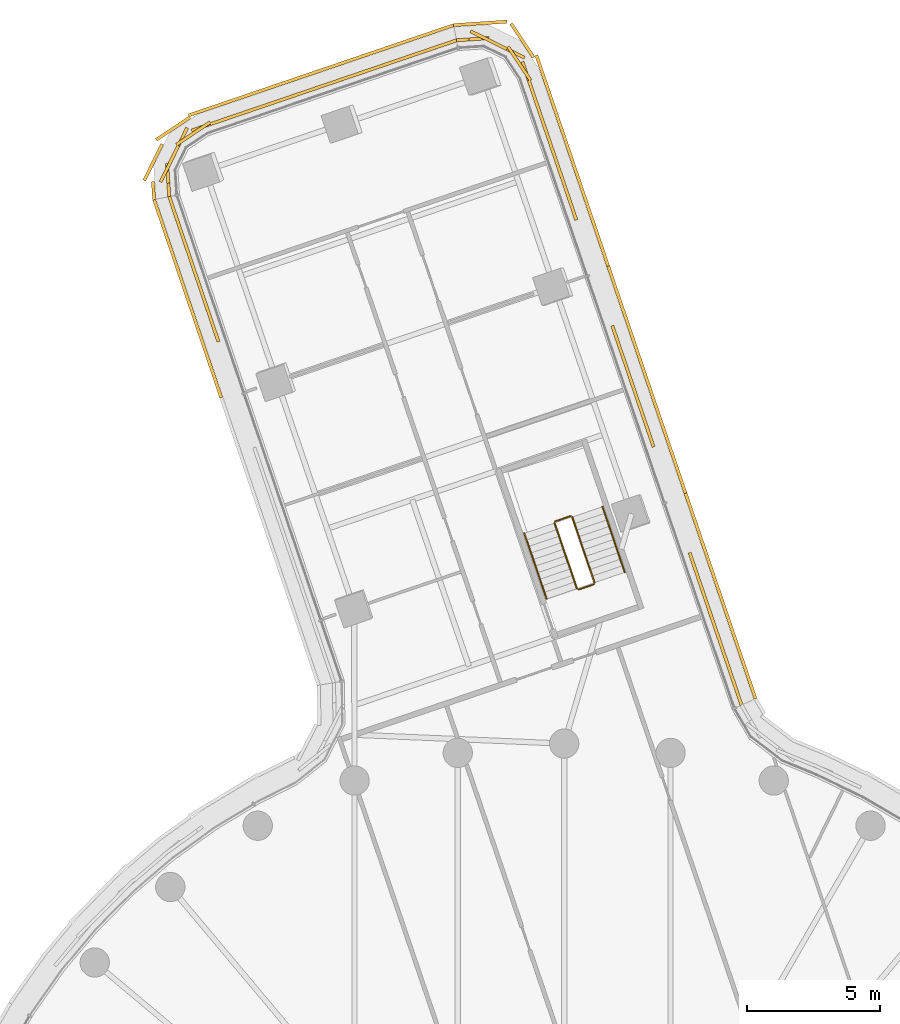
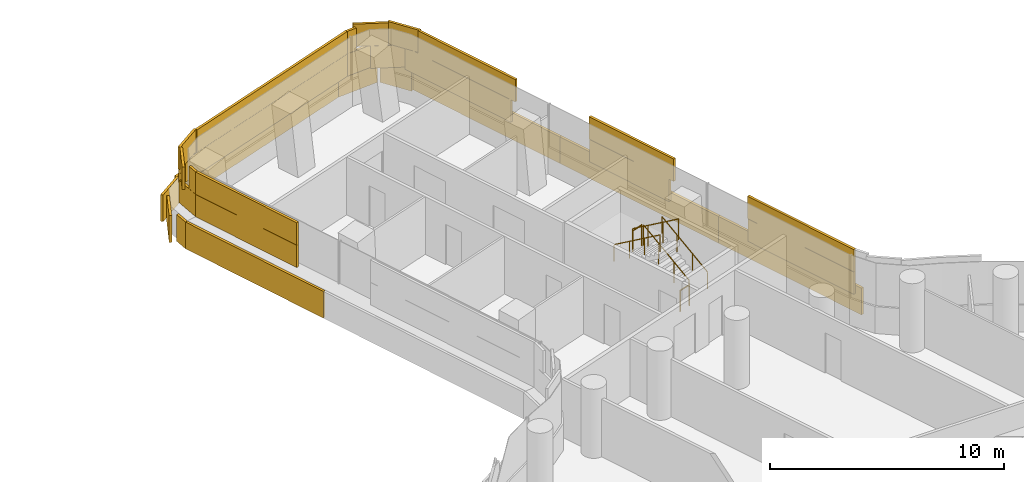
# One storey, part 29 of 29: 6 railings, 5 coverings.
"""IFC4 building model written with IfcOpenShell, lengths in metres."""

from ifc_helpers import new_model, si_unit, direction, frame, origin, origin_2d, place, context, subcontext, project, spatial, rectangle, circle, extrude, material, layer, layer_set, type_object, element, save


model = new_model("IFC4")

# Units and contexts
model_context = context("Model", 3, precision=1e-05, world=origin(), true_north=direction((0.0, 1.0)))
body_context = subcontext(model_context, "Body", "Model", "MODEL_VIEW")
ifc_project = project(units=[si_unit("LENGTHUNIT", "METRE"), si_unit("AREAUNIT", "SQUARE_METRE"), si_unit("VOLUMEUNIT", "CUBIC_METRE"), si_unit("PLANEANGLEUNIT", "RADIAN"), si_unit("MASSUNIT", "GRAM", prefix="KILO")], contexts=[model_context])

# Site, building, storey
site_placement = place(None, origin())
site = spatial("IfcSite", under=ifc_project, at=site_placement, CompositionType="ELEMENT")
building_placement = place(site_placement, origin())
building = spatial("IfcBuilding", under=site, at=building_placement, Name="Tamarind Cross Interchange Tower", CompositionType="ELEMENT")
storey_placement = place(building_placement, frame((0.0, 0.0, 102.25)))
storey = spatial("IfcBuildingStorey", under=building, at=storey_placement, Name="L24", CompositionType="ELEMENT", Elevation=102.25)

# Railings
ifc_material_1 = material(Name="Stair guard")
railing_type_1 = type_object("IfcRailingType", Name="Stair guard", PredefinedType="GUARDRAIL", material=ifc_material_1)
railing_1_placement = place(storey_placement, frame((1.14013671875, 29.043701171875, 0.17041015625)))
element("IfcRailing", 1, at=railing_1_placement, inside=storey, type_object=railing_type_1, Name="L24 ST4 stair guard 1", PredefinedType="GUARDRAIL", context=body_context, shape_type="SweptSolid", body=[
    extrude(circle(Radius=0.02392578125, at=origin_2d()), frame((0.0, 0.0, 1.076171875), z_axis=(-0.269588544984, 0.791646408968, 0.548286402878), x_axis=(-0.946616378448, -0.322362268348, 0.0)), (0.0, 0.0, 1.0), 3.10888671875),
    extrude(circle(Radius=0.02099609375, at=origin_2d()), origin(), (0.0, 0.0, 1.0), 1.052001953125),
    extrude(circle(Radius=0.02099609375, at=origin_2d()), frame((-0.279296875, 0.8203125, 0.568115234375)), (0.0, 0.0, 1.0), 1.052001953125),
    extrude(circle(Radius=0.02099609375, at=origin_2d()), frame((-0.558837890625, 1.640869140625, 1.136474609375)), (0.0, 0.0, 1.0), 1.052001953125),
    extrude(circle(Radius=0.02099609375, at=origin_2d()), frame((-0.838134765625, 2.461181640625, 1.70458984375)), (0.0, 0.0, 1.0), 1.052001953125),
])
railing_2_placement = place(storey_placement, frame((0.238525390625, 31.5361328125, 1.875)))
element("IfcRailing", 2, at=railing_2_placement, inside=storey, type_object=railing_type_1, Name="L24 ST4 stair guard 2", PredefinedType="GUARDRAIL", context=body_context, shape_type="SweptSolid", body=[
    extrude(circle(Radius=0.02392578125, at=origin_2d()), frame((0.0, 0.0, 1.076171875), z_axis=(-0.946504538931, -0.32269049844, 0.0), x_axis=(0.32269049844, -0.946504538931, 0.0)), (0.0, 0.0, 1.0), 0.599853515625),
    extrude(circle(Radius=0.02099609375, at=origin_2d()), origin(), (0.0, 0.0, 1.0), 1.052001953125),
    extrude(circle(Radius=0.02099609375, at=origin_2d()), frame((-0.56787109375, -0.193603515625, 0.0)), (0.0, 0.0, 1.0), 1.052001953125),
])
railing_3_placement = place(storey_placement, frame((-0.360595703125, 31.279052734375, 2.04541015625)))
element("IfcRailing", 3, at=railing_3_placement, inside=storey, type_object=railing_type_1, Name="L24 ST4 stair guard 3", PredefinedType="GUARDRAIL", context=body_context, shape_type="SweptSolid", body=[
    extrude(circle(Radius=0.02392578125, at=origin_2d()), frame((0.0, 0.0, 1.076171875), z_axis=(0.269588544984, -0.791646408968, 0.548286402878), x_axis=(0.946616378448, 0.322362268348, 0.0)), (0.0, 0.0, 1.0), 3.10888671875),
    extrude(circle(Radius=0.02099609375, at=origin_2d()), origin(), (0.0, 0.0, 1.0), 1.052001953125),
    extrude(circle(Radius=0.02099609375, at=origin_2d()), frame((0.279296875, -0.8203125, 0.568115234375)), (0.0, 0.0, 1.0), 1.052001953125),
    extrude(circle(Radius=0.02099609375, at=origin_2d()), frame((0.558837890625, -1.640869140625, 1.136474609375)), (0.0, 0.0, 1.0), 1.052001953125),
    extrude(circle(Radius=0.02099609375, at=origin_2d()), frame((0.838134765625, -2.461181640625, 1.70458984375)), (0.0, 0.0, 1.0), 1.052001953125),
])
railing_4_placement = place(storey_placement, frame((1.10888671875, 28.980224609375, 0.0)))
element("IfcRailing", 4, at=railing_4_placement, inside=storey, type_object=railing_type_1, Name="L24 ST4 stair guard 4", PredefinedType="GUARDRAIL", context=body_context, shape_type="SweptSolid", body=[
    extrude(circle(Radius=0.02392578125, at=origin_2d()), frame((0.0, 0.0, 1.076171875), z_axis=(-0.946504538931, -0.32269049844, 0.0), x_axis=(0.32269049844, -0.946504538931, 0.0)), (0.0, 0.0, 1.0), 0.599853515625),
    extrude(circle(Radius=0.02099609375, at=origin_2d()), origin(), (0.0, 0.0, 1.0), 1.052001953125),
    extrude(circle(Radius=0.02099609375, at=origin_2d()), frame((-0.56787109375, -0.193603515625, 0.0)), (0.0, 0.0, 1.0), 1.052001953125),
])
ifc_material_2 = material(Name="Stair handrail")
railing_type_2 = type_object("IfcRailingType", Name="Stair handrail", PredefinedType="HANDRAIL", material=ifc_material_2)
railing_5_placement = place(storey_placement, frame((2.276123046875, 29.430419921875, 0.17041015625)))
element("IfcRailing", 5, at=railing_5_placement, inside=storey, type_object=railing_type_2, Name="L24 ST4 stair handrail 1", PredefinedType="HANDRAIL", context=body_context, shape_type="SweptSolid", body=[
    extrude(circle(Radius=0.02392578125, at=origin_2d()), frame((0.0, 0.0, 0.8759765625), z_axis=(-0.269588544984, 0.791646408968, 0.548286402878), x_axis=(-0.946616378448, -0.322362268348, 0.0)), (0.0, 0.0, 1.0), 3.10888671875),
    extrude(circle(Radius=0.02099609375, at=origin_2d()), origin(), (0.0, 0.0, 1.0), 0.851806640625),
    extrude(circle(Radius=0.02099609375, at=origin_2d()), frame((-0.279296875, 0.8203125, 0.568115234375)), (0.0, 0.0, 1.0), 0.851806640625),
    extrude(circle(Radius=0.02099609375, at=origin_2d()), frame((-0.558837890625, 1.640869140625, 1.136474609375)), (0.0, 0.0, 1.0), 0.851806640625),
    extrude(circle(Radius=0.02099609375, at=origin_2d()), frame((-0.838134765625, 2.461181640625, 1.70458984375)), (0.0, 0.0, 1.0), 0.851806640625),
])
railing_6_placement = place(storey_placement, frame((-1.49658203125, 30.892333984375, 2.04541015625)))
element("IfcRailing", 6, at=railing_6_placement, inside=storey, type_object=railing_type_2, Name="L24 ST4 stair handrail 2", PredefinedType="HANDRAIL", context=body_context, shape_type="SweptSolid", body=[
    extrude(circle(Radius=0.02392578125, at=origin_2d()), frame((0.0, 0.0, 0.8759765625), z_axis=(0.269588544984, -0.791646408968, 0.548286402878), x_axis=(0.946616378448, 0.322362268348, 0.0)), (0.0, 0.0, 1.0), 3.10888671875),
    extrude(circle(Radius=0.02099609375, at=origin_2d()), origin(), (0.0, 0.0, 1.0), 0.851806640625),
    extrude(circle(Radius=0.02099609375, at=origin_2d()), frame((0.279296875, -0.8203125, 0.568115234375)), (0.0, 0.0, 1.0), 0.851806640625),
    extrude(circle(Radius=0.02099609375, at=origin_2d()), frame((0.558837890625, -1.640869140625, 1.136474609375)), (0.0, 0.0, 1.0), 0.851806640625),
    extrude(circle(Radius=0.02099609375, at=origin_2d()), frame((0.838134765625, -2.461181640625, 1.70458984375)), (0.0, 0.0, 1.0), 0.851806640625),
])

# Coverings
ifc_material_3 = material(Name="Terracotta", Category="masonry")
ifc_layer = layer(ifc_material_3, 0.1201171875)
ifc_layer_set = layer_set([ifc_layer], Name="Terracotta")
covering_type = type_object("IfcCoveringType", Name="Terracotta baguette screen unit", PredefinedType="MOLDING", material=ifc_layer_set)
covering_1_placement = place(storey_placement, origin())
element("IfcCovering", 7, at=covering_1_placement, inside=storey, type_object=covering_type, Name="SCR-L24-11-00", PredefinedType="MOLDING", context=body_context, shape_type="SweptSolid", body=[
    extrude(rectangle(XDim=1.510009765625, YDim=0.1201171875, at=origin_2d()), frame((6.414794921875, 25.156982421875, 1.404052734375), z_axis=(0.0, 0.0, 1.0), x_axis=(-0.322371434957, 0.946613256786, 0.0)), (0.0, 0.0, 1.0), 1.1669921875),
    extrude(rectangle(XDim=1.52001953125, YDim=0.1201171875, at=origin_2d()), frame((5.93115234375, 26.576904296875, 1.404052734375), z_axis=(0.0, 0.0, 1.0), x_axis=(-0.322371434957, 0.946613256786, 0.0)), (0.0, 0.0, 1.0), 1.1669921875),
    extrude(rectangle(XDim=1.52001953125, YDim=0.1201171875, at=origin_2d()), frame((5.447509765625, 27.996826171875, 1.404052734375), z_axis=(0.0, 0.0, 1.0), x_axis=(-0.322371434957, 0.946613256786, 0.0)), (0.0, 0.0, 1.0), 1.1669921875),
    extrude(rectangle(XDim=1.52001953125, YDim=0.1201171875, at=origin_2d()), frame((4.964111328125, 29.416748046875, 1.404052734375), z_axis=(0.0, 0.0, 1.0), x_axis=(-0.322371434957, 0.946613256786, 0.0)), (0.0, 0.0, 1.0), 1.1669921875),
    extrude(rectangle(XDim=0.760009765625, YDim=0.1201171875, at=origin_2d()), frame((6.53564453125, 24.802001953125, 2.5791015625), z_axis=(0.0, 0.0, 1.0), x_axis=(-0.322371434957, 0.946613256786, 0.0)), (0.0, 0.0, 1.0), 1.1669921875),
    extrude(rectangle(XDim=1.52001953125, YDim=0.1201171875, at=origin_2d()), frame((6.1728515625, 25.866943359375, 2.5791015625), z_axis=(0.0, 0.0, 1.0), x_axis=(-0.322371434957, 0.946613256786, 0.0)), (0.0, 0.0, 1.0), 1.1669921875),
    extrude(rectangle(XDim=1.52001953125, YDim=0.1201171875, at=origin_2d()), frame((5.689453125, 27.286865234375, 2.5791015625), z_axis=(0.0, 0.0, 1.0), x_axis=(-0.322371434957, 0.946613256786, 0.0)), (0.0, 0.0, 1.0), 1.1669921875),
    extrude(rectangle(XDim=1.52001953125, YDim=0.1201171875, at=origin_2d()), frame((5.205810546875, 28.706787109375, 2.5791015625), z_axis=(0.0, 0.0, 1.0), x_axis=(-0.322371434957, 0.946613256786, 0.0)), (0.0, 0.0, 1.0), 1.1669921875),
    extrude(rectangle(XDim=0.79931640625, YDim=0.1201171875, at=origin_2d()), frame((4.8369140625, 29.790283203125, 2.5791015625), z_axis=(0.0, 0.0, 1.0), x_axis=(-0.322371434957, 0.946613256786, 0.0)), (0.0, 0.0, 1.0), 1.1669921875),
    extrude(rectangle(XDim=1.510009765625, YDim=0.1201171875, at=origin_2d()), frame((6.938232421875, 25.400634765625, 0.00390625), z_axis=(0.0, 0.0, 1.0), x_axis=(-0.322371434957, 0.946613256786, 0.0)), (0.0, 0.0, 1.0), 1.39208984375),
    extrude(rectangle(XDim=1.52001953125, YDim=0.1201171875, at=origin_2d()), frame((6.4560546875, 26.81591796875, 0.00390625), z_axis=(0.0, 0.0, 1.0), x_axis=(-0.322371434957, 0.946613256786, 0.0)), (0.0, 0.0, 1.0), 1.39208984375),
    extrude(rectangle(XDim=1.52001953125, YDim=0.1201171875, at=origin_2d()), frame((5.97265625, 28.23583984375, 0.00390625), z_axis=(0.0, 0.0, 1.0), x_axis=(-0.322371434957, 0.946613256786, 0.0)), (0.0, 0.0, 1.0), 1.39208984375),
    extrude(rectangle(XDim=1.52001953125, YDim=0.1201171875, at=origin_2d()), frame((5.489013671875, 29.65576171875, 0.00390625), z_axis=(0.0, 0.0, 1.0), x_axis=(-0.322371434957, 0.946613256786, 0.0)), (0.0, 0.0, 1.0), 1.39208984375),
    extrude(rectangle(XDim=1.52001953125, YDim=0.1201171875, at=origin_2d()), frame((5.005615234375, 31.07568359375, 0.00390625), z_axis=(0.0, 0.0, 1.0), x_axis=(-0.322371434957, 0.946613256786, 0.0)), (0.0, 0.0, 1.0), 1.39208984375),
    extrude(rectangle(XDim=0.655517578125, YDim=0.1201171875, at=origin_2d()), frame((4.661376953125, 32.08642578125, 0.00390625), z_axis=(0.0, 0.0, 1.0), x_axis=(-0.322371434957, 0.946613256786, 0.0)), (0.0, 0.0, 1.0), 1.39208984375),
])
covering_2_placement = place(storey_placement, origin())
element("IfcCovering", 8, at=covering_2_placement, inside=storey, type_object=covering_type, Name="SCR-L24-11-01", PredefinedType="MOLDING", context=body_context, shape_type="SweptSolid", body=[
    extrude(rectangle(XDim=1.52001953125, YDim=0.1201171875, at=origin_2d()), frame((3.02978515625, 35.096435546875, 1.404052734375), z_axis=(0.0, 0.0, 1.0), x_axis=(-0.322371434957, 0.946613256786, 0.0)), (0.0, 0.0, 1.0), 1.1669921875),
    extrude(rectangle(XDim=1.52001953125, YDim=0.1201171875, at=origin_2d()), frame((2.54638671875, 36.516357421875, 1.404052734375), z_axis=(0.0, 0.0, 1.0), x_axis=(-0.322371434957, 0.946613256786, 0.0)), (0.0, 0.0, 1.0), 1.1669921875),
    extrude(rectangle(XDim=1.52001953125, YDim=0.1201171875, at=origin_2d()), frame((2.062744140625, 37.936279296875, 1.404052734375), z_axis=(0.0, 0.0, 1.0), x_axis=(-0.322371434957, 0.946613256786, 0.0)), (0.0, 0.0, 1.0), 1.1669921875),
    extrude(rectangle(XDim=1.020751953125, YDim=0.1201171875, at=origin_2d()), frame((3.192626953125, 34.6181640625, 2.5791015625), z_axis=(0.0, 0.0, 1.0), x_axis=(-0.322371434957, 0.946613256786, 0.0)), (0.0, 0.0, 1.0), 1.1669921875),
    extrude(rectangle(XDim=1.52001953125, YDim=0.1201171875, at=origin_2d()), frame((2.7880859375, 35.806396484375, 2.5791015625), z_axis=(0.0, 0.0, 1.0), x_axis=(-0.322371434957, 0.946613256786, 0.0)), (0.0, 0.0, 1.0), 1.1669921875),
    extrude(rectangle(XDim=1.52001953125, YDim=0.1201171875, at=origin_2d()), frame((2.304443359375, 37.226318359375, 2.5791015625), z_axis=(0.0, 0.0, 1.0), x_axis=(-0.322371434957, 0.946613256786, 0.0)), (0.0, 0.0, 1.0), 1.1669921875),
    extrude(rectangle(XDim=0.80029296875, YDim=0.1201171875, at=origin_2d()), frame((1.935302734375, 38.310302734375, 2.5791015625), z_axis=(0.0, 0.0, 1.0), x_axis=(-0.322371434957, 0.946613256786, 0.0)), (0.0, 0.0, 1.0), 1.1669921875),
    extrude(rectangle(XDim=0.864501953125, YDim=0.1201171875, at=origin_2d()), frame((4.416259765625, 32.8056640625, 0.00390625), z_axis=(0.0, 0.0, 1.0), x_axis=(-0.322371434957, 0.946613256786, 0.0)), (0.0, 0.0, 1.0), 1.39208984375),
    extrude(rectangle(XDim=1.52001953125, YDim=0.1201171875, at=origin_2d()), frame((4.038330078125, 33.91552734375, 0.00390625), z_axis=(0.0, 0.0, 1.0), x_axis=(-0.322371434957, 0.946613256786, 0.0)), (0.0, 0.0, 1.0), 1.39208984375),
    extrude(rectangle(XDim=1.52001953125, YDim=0.1201171875, at=origin_2d()), frame((3.554931640625, 35.33544921875, 0.00390625), z_axis=(0.0, 0.0, 1.0), x_axis=(-0.322371434957, 0.946613256786, 0.0)), (0.0, 0.0, 1.0), 1.39208984375),
    extrude(rectangle(XDim=1.52001953125, YDim=0.1201171875, at=origin_2d()), frame((3.0712890625, 36.75537109375, 0.00390625), z_axis=(0.0, 0.0, 1.0), x_axis=(-0.322371434957, 0.946613256786, 0.0)), (0.0, 0.0, 1.0), 1.39208984375),
    extrude(rectangle(XDim=1.52001953125, YDim=0.1201171875, at=origin_2d()), frame((2.587646484375, 38.17529296875, 0.00390625), z_axis=(0.0, 0.0, 1.0), x_axis=(-0.322371434957, 0.946613256786, 0.0)), (0.0, 0.0, 1.0), 1.39208984375),
    extrude(rectangle(XDim=1.52001953125, YDim=0.1201171875, at=origin_2d()), frame((2.104248046875, 39.59521484375, 0.00390625), z_axis=(0.0, 0.0, 1.0), x_axis=(-0.322371434957, 0.946613256786, 0.0)), (0.0, 0.0, 1.0), 1.39208984375),
    extrude(rectangle(XDim=0.6630859375, YDim=0.1201171875, at=origin_2d()), frame((1.7587890625, 40.609619140625, 0.00390625), z_axis=(0.0, 0.0, 1.0), x_axis=(-0.322371434957, 0.946613256786, 0.0)), (0.0, 0.0, 1.0), 1.39208984375),
])
covering_3_placement = place(storey_placement, origin())
element("IfcCovering", 9, at=covering_3_placement, inside=storey, type_object=covering_type, Name="SCR-L24-11-02", PredefinedType="MOLDING", context=body_context, shape_type="SweptSolid", body=[
    extrude(rectangle(XDim=1.52001953125, YDim=0.1201171875, at=origin_2d()), frame((0.12841796875, 43.615966796875, 1.404052734375), z_axis=(0.0, 0.0, 1.0), x_axis=(-0.322371434957, 0.946613256786, 0.0)), (0.0, 0.0, 1.0), 1.1669921875),
    extrude(rectangle(XDim=1.52001953125, YDim=0.1201171875, at=origin_2d()), frame((-0.35498046875, 45.035888671875, 1.404052734375), z_axis=(0.0, 0.0, 1.0), x_axis=(-0.322371434957, 0.946613256786, 0.0)), (0.0, 0.0, 1.0), 1.1669921875),
    extrude(rectangle(XDim=1.52001953125, YDim=0.1201171875, at=origin_2d()), frame((-0.838623046875, 46.455810546875, 1.404052734375), z_axis=(0.0, 0.0, 1.0), x_axis=(-0.322371434957, 0.946613256786, 0.0)), (0.0, 0.0, 1.0), 1.1669921875),
    extrude(rectangle(XDim=1.52001953125, YDim=0.1201171875, at=origin_2d()), frame((-1.322265625, 47.875732421875, 1.404052734375), z_axis=(0.0, 0.0, 1.0), x_axis=(-0.322371434957, 0.946613256786, 0.0)), (0.0, 0.0, 1.0), 1.1669921875),
    extrude(rectangle(XDim=1.52001953125, YDim=0.1201171875, at=origin_2d()), frame((-2.16552734375, 49.07568359375, 1.404052734375), z_axis=(0.0, 0.0, 1.0), x_axis=(-0.897307680754, 0.441405625316, 0.0)), (0.0, 0.0, 1.0), 1.1669921875),
    extrude(rectangle(XDim=1.224853515625, YDim=0.1201171875, at=origin_2d()), frame((-3.43017578125, 49.439453125, 1.404052734375), z_axis=(0.0, 0.0, 1.0), x_axis=(-0.997794059201, -0.06638535548, 0.0)), (0.0, 0.0, 1.0), 1.1669921875),
    extrude(rectangle(XDim=1.01953125, YDim=0.1201171875, at=origin_2d()), frame((0.291259765625, 43.13818359375, 2.5791015625), z_axis=(0.0, 0.0, 1.0), x_axis=(-0.322371434957, 0.946613256786, 0.0)), (0.0, 0.0, 1.0), 1.1669921875),
    extrude(rectangle(XDim=1.52001953125, YDim=0.1201171875, at=origin_2d()), frame((-0.11328125, 44.325927734375, 2.5791015625), z_axis=(0.0, 0.0, 1.0), x_axis=(-0.322371434957, 0.946613256786, 0.0)), (0.0, 0.0, 1.0), 1.1669921875),
    extrude(rectangle(XDim=1.52001953125, YDim=0.1201171875, at=origin_2d()), frame((-0.596923828125, 45.745849609375, 2.5791015625), z_axis=(0.0, 0.0, 1.0), x_axis=(-0.322371434957, 0.946613256786, 0.0)), (0.0, 0.0, 1.0), 1.1669921875),
    extrude(rectangle(XDim=1.52001953125, YDim=0.1201171875, at=origin_2d()), frame((-1.080322265625, 47.165771484375, 2.5791015625), z_axis=(0.0, 0.0, 1.0), x_axis=(-0.322371434957, 0.946613256786, 0.0)), (0.0, 0.0, 1.0), 1.1669921875),
    extrude(rectangle(XDim=1.52001953125, YDim=0.1201171875, at=origin_2d()), frame((-1.68359375, 48.526611328125, 2.5791015625), z_axis=(0.0, 0.0, 1.0), x_axis=(-0.556388433886, 0.830922325274, 0.0)), (0.0, 0.0, 1.0), 1.1669921875),
    extrude(rectangle(XDim=1.52001953125, YDim=0.1201171875, at=origin_2d()), frame((-2.838623046875, 49.40673828125, 2.5791015625), z_axis=(0.0, 0.0, 1.0), x_axis=(-0.897307680754, 0.441405625316, 0.0)), (0.0, 0.0, 1.0), 1.1669921875),
    extrude(rectangle(XDim=0.474853515625, YDim=0.1201171875, at=origin_2d()), frame((-3.804443359375, 49.41455078125, 2.5791015625), z_axis=(0.0, 0.0, 1.0), x_axis=(-0.997794059201, -0.06638535548, 0.0)), (0.0, 0.0, 1.0), 1.1669921875),
    extrude(rectangle(XDim=0.85693359375, YDim=0.1201171875, at=origin_2d()), frame((1.513671875, 41.328857421875, 0.00390625), z_axis=(0.0, 0.0, 1.0), x_axis=(-0.322371434957, 0.946613256786, 0.0)), (0.0, 0.0, 1.0), 1.39208984375),
    extrude(rectangle(XDim=1.52001953125, YDim=0.1201171875, at=origin_2d()), frame((1.136962890625, 42.43505859375, 0.00390625), z_axis=(0.0, 0.0, 1.0), x_axis=(-0.322371434957, 0.946613256786, 0.0)), (0.0, 0.0, 1.0), 1.39208984375),
    extrude(rectangle(XDim=1.52001953125, YDim=0.1201171875, at=origin_2d()), frame((0.653564453125, 43.85498046875, 0.00390625), z_axis=(0.0, 0.0, 1.0), x_axis=(-0.322371434957, 0.946613256786, 0.0)), (0.0, 0.0, 1.0), 1.39208984375),
    extrude(rectangle(XDim=1.52001953125, YDim=0.1201171875, at=origin_2d()), frame((0.169921875, 45.27490234375, 0.00390625), z_axis=(0.0, 0.0, 1.0), x_axis=(-0.322371434957, 0.946613256786, 0.0)), (0.0, 0.0, 1.0), 1.39208984375),
    extrude(rectangle(XDim=1.52001953125, YDim=0.1201171875, at=origin_2d()), frame((-0.313720703125, 46.69482421875, 0.00390625), z_axis=(0.0, 0.0, 1.0), x_axis=(-0.322371434957, 0.946613256786, 0.0)), (0.0, 0.0, 1.0), 1.39208984375),
    extrude(rectangle(XDim=1.52001953125, YDim=0.1201171875, at=origin_2d()), frame((-0.797119140625, 48.11474609375, 0.00390625), z_axis=(0.0, 0.0, 1.0), x_axis=(-0.322371434957, 0.946613256786, 0.0)), (0.0, 0.0, 1.0), 1.39208984375),
    extrude(rectangle(XDim=1.52001953125, YDim=0.1201171875, at=origin_2d()), frame((-1.571533203125, 49.390869140625, 0.00390625), z_axis=(0.0, 0.0, 1.0), x_axis=(-0.556388433886, 0.830922325274, 0.0)), (0.0, 0.0, 1.0), 1.39208984375),
    extrude(rectangle(XDim=1.52001953125, YDim=0.1201171875, at=origin_2d()), frame((-2.90283203125, 50.0498046875, 0.00390625), z_axis=(0.0, 0.0, 1.0), x_axis=(-0.997794059201, -0.06638535548, 0.0)), (0.0, 0.0, 1.0), 1.39208984375),
    extrude(rectangle(XDim=0.509765625, YDim=0.1201171875, at=origin_2d()), frame((-3.8955078125, 49.983642578125, 0.00390625), z_axis=(0.0, 0.0, 1.0), x_axis=(-0.997794059201, -0.06638535548, 0.0)), (0.0, 0.0, 1.0), 1.39208984375),
])
covering_4_placement = place(storey_placement, origin())
element("IfcCovering", 10, at=covering_4_placement, inside=storey, type_object=covering_type, Name="SCR-L24-12-00", PredefinedType="MOLDING", context=body_context, shape_type="SweptSolid", body=[
    extrude(rectangle(XDim=1.510009765625, YDim=0.1201171875, at=origin_2d()), frame((-4.746337890625, 49.1572265625, 1.404052734375), z_axis=(0.0, 0.0, 1.0), x_axis=(-0.946613256786, -0.322371434957, 0.0)), (0.0, 0.0, 1.0), 1.1669921875),
    extrude(rectangle(XDim=1.52001953125, YDim=0.1201171875, at=origin_2d()), frame((-6.166259765625, 48.673828125, 1.404052734375), z_axis=(0.0, 0.0, 1.0), x_axis=(-0.946613256786, -0.322371434957, 0.0)), (0.0, 0.0, 1.0), 1.1669921875),
    extrude(rectangle(XDim=1.52001953125, YDim=0.1201171875, at=origin_2d()), frame((-7.586181640625, 48.190185546875, 1.404052734375), z_axis=(0.0, 0.0, 1.0), x_axis=(-0.946613256786, -0.322371434957, 0.0)), (0.0, 0.0, 1.0), 1.1669921875),
    extrude(rectangle(XDim=1.52001953125, YDim=0.1201171875, at=origin_2d()), frame((-9.006103515625, 47.70654296875, 1.404052734375), z_axis=(0.0, 0.0, 1.0), x_axis=(-0.946613256786, -0.322371434957, 0.0)), (0.0, 0.0, 1.0), 1.1669921875),
    extrude(rectangle(XDim=1.52001953125, YDim=0.1201171875, at=origin_2d()), frame((-10.426025390625, 47.22314453125, 1.404052734375), z_axis=(0.0, 0.0, 1.0), x_axis=(-0.946613256786, -0.322371434957, 0.0)), (0.0, 0.0, 1.0), 1.1669921875),
    extrude(rectangle(XDim=1.52001953125, YDim=0.1201171875, at=origin_2d()), frame((-11.845947265625, 46.739501953125, 1.404052734375), z_axis=(0.0, 0.0, 1.0), x_axis=(-0.946613256786, -0.322371434957, 0.0)), (0.0, 0.0, 1.0), 1.1669921875),
    extrude(rectangle(XDim=1.52001953125, YDim=0.1201171875, at=origin_2d()), frame((-13.265869140625, 46.255859375, 1.404052734375), z_axis=(0.0, 0.0, 1.0), x_axis=(-0.946613256786, -0.322371434957, 0.0)), (0.0, 0.0, 1.0), 1.1669921875),
    extrude(rectangle(XDim=1.52001953125, YDim=0.1201171875, at=origin_2d()), frame((-14.4833984375, 45.4326171875, 1.404052734375), z_axis=(0.0, 0.0, 1.0), x_axis=(-0.441405625316, -0.897307680754, 0.0)), (0.0, 0.0, 1.0), 1.1669921875),
    extrude(rectangle(XDim=1.259521484375, YDim=0.1201171875, at=origin_2d()), frame((-14.863525390625, 44.154052734375, 1.404052734375), z_axis=(0.0, 0.0, 1.0), x_axis=(0.06638535548, -0.997794059201, 0.0)), (0.0, 0.0, 1.0), 1.1669921875),
    extrude(rectangle(XDim=0.760009765625, YDim=0.1201171875, at=origin_2d()), frame((-4.391357421875, 49.278076171875, 2.5791015625), z_axis=(0.0, 0.0, 1.0), x_axis=(-0.946613256786, -0.322371434957, 0.0)), (0.0, 0.0, 1.0), 1.1669921875),
    extrude(rectangle(XDim=1.52001953125, YDim=0.1201171875, at=origin_2d()), frame((-5.456298828125, 48.91552734375, 2.5791015625), z_axis=(0.0, 0.0, 1.0), x_axis=(-0.946613256786, -0.322371434957, 0.0)), (0.0, 0.0, 1.0), 1.1669921875),
    extrude(rectangle(XDim=1.52001953125, YDim=0.1201171875, at=origin_2d()), frame((-6.876220703125, 48.431884765625, 2.5791015625), z_axis=(0.0, 0.0, 1.0), x_axis=(-0.946613256786, -0.322371434957, 0.0)), (0.0, 0.0, 1.0), 1.1669921875),
    extrude(rectangle(XDim=1.52001953125, YDim=0.1201171875, at=origin_2d()), frame((-8.296142578125, 47.948486328125, 2.5791015625), z_axis=(0.0, 0.0, 1.0), x_axis=(-0.946613256786, -0.322371434957, 0.0)), (0.0, 0.0, 1.0), 1.1669921875),
    extrude(rectangle(XDim=1.52001953125, YDim=0.1201171875, at=origin_2d()), frame((-9.716064453125, 47.46484375, 2.5791015625), z_axis=(0.0, 0.0, 1.0), x_axis=(-0.946613256786, -0.322371434957, 0.0)), (0.0, 0.0, 1.0), 1.1669921875),
    extrude(rectangle(XDim=1.52001953125, YDim=0.1201171875, at=origin_2d()), frame((-11.135986328125, 46.981201171875, 2.5791015625), z_axis=(0.0, 0.0, 1.0), x_axis=(-0.946613256786, -0.322371434957, 0.0)), (0.0, 0.0, 1.0), 1.1669921875),
    extrude(rectangle(XDim=1.52001953125, YDim=0.1201171875, at=origin_2d()), frame((-12.555908203125, 46.497802734375, 2.5791015625), z_axis=(0.0, 0.0, 1.0), x_axis=(-0.946613256786, -0.322371434957, 0.0)), (0.0, 0.0, 1.0), 1.1669921875),
    extrude(rectangle(XDim=1.52001953125, YDim=0.1201171875, at=origin_2d()), frame((-13.920654296875, 45.90283203125, 2.5791015625), z_axis=(0.0, 0.0, 1.0), x_axis=(-0.830922325274, -0.556388433886, 0.0)), (0.0, 0.0, 1.0), 1.1669921875),
    extrude(rectangle(XDim=1.52001953125, YDim=0.1201171875, at=origin_2d()), frame((-14.814453125, 44.759521484375, 2.5791015625), z_axis=(0.0, 0.0, 1.0), x_axis=(-0.441405625316, -0.897307680754, 0.0)), (0.0, 0.0, 1.0), 1.1669921875),
    extrude(rectangle(XDim=0.509521484375, YDim=0.1201171875, at=origin_2d()), frame((-14.838623046875, 43.780029296875, 2.5791015625), z_axis=(0.0, 0.0, 1.0), x_axis=(0.06638535548, -0.997794059201, 0.0)), (0.0, 0.0, 1.0), 1.1669921875),
    extrude(rectangle(XDim=1.510009765625, YDim=0.1201171875, at=origin_2d()), frame((-4.864501953125, 49.723388671875, 0.00390625), z_axis=(0.0, 0.0, 1.0), x_axis=(-0.946613256786, -0.322371434957, 0.0)), (0.0, 0.0, 1.0), 1.39208984375),
    extrude(rectangle(XDim=1.52001953125, YDim=0.1201171875, at=origin_2d()), frame((-6.27978515625, 49.241455078125, 0.00390625), z_axis=(0.0, 0.0, 1.0), x_axis=(-0.946613256786, -0.322371434957, 0.0)), (0.0, 0.0, 1.0), 1.39208984375),
    extrude(rectangle(XDim=1.52001953125, YDim=0.1201171875, at=origin_2d()), frame((-7.69970703125, 48.7578125, 0.00390625), z_axis=(0.0, 0.0, 1.0), x_axis=(-0.946613256786, -0.322371434957, 0.0)), (0.0, 0.0, 1.0), 1.39208984375),
    extrude(rectangle(XDim=1.52001953125, YDim=0.1201171875, at=origin_2d()), frame((-9.11962890625, 48.2744140625, 0.00390625), z_axis=(0.0, 0.0, 1.0), x_axis=(-0.946613256786, -0.322371434957, 0.0)), (0.0, 0.0, 1.0), 1.39208984375),
    extrude(rectangle(XDim=1.52001953125, YDim=0.1201171875, at=origin_2d()), frame((-10.53955078125, 47.790771484375, 0.00390625), z_axis=(0.0, 0.0, 1.0), x_axis=(-0.946613256786, -0.322371434957, 0.0)), (0.0, 0.0, 1.0), 1.39208984375),
    extrude(rectangle(XDim=1.52001953125, YDim=0.1201171875, at=origin_2d()), frame((-11.95947265625, 47.30712890625, 0.00390625), z_axis=(0.0, 0.0, 1.0), x_axis=(-0.946613256786, -0.322371434957, 0.0)), (0.0, 0.0, 1.0), 1.39208984375),
    extrude(rectangle(XDim=1.52001953125, YDim=0.1201171875, at=origin_2d()), frame((-13.37939453125, 46.82373046875, 0.00390625), z_axis=(0.0, 0.0, 1.0), x_axis=(-0.946613256786, -0.322371434957, 0.0)), (0.0, 0.0, 1.0), 1.39208984375),
    extrude(rectangle(XDim=1.52001953125, YDim=0.1201171875, at=origin_2d()), frame((-14.6748046875, 46.088623046875, 0.00390625), z_axis=(0.0, 0.0, 1.0), x_axis=(-0.830922325274, -0.556388433886, 0.0)), (0.0, 0.0, 1.0), 1.39208984375),
    extrude(rectangle(XDim=1.52001953125, YDim=0.1201171875, at=origin_2d()), frame((-15.4248046875, 44.8193359375, 0.00390625), z_axis=(0.0, 0.0, 1.0), x_axis=(-0.441405625316, -0.897307680754, 0.0)), (0.0, 0.0, 1.0), 1.39208984375),
    extrude(rectangle(XDim=0.6767578125, YDim=0.1201171875, at=origin_2d()), frame((-15.412353515625, 43.755126953125, 0.00390625), z_axis=(0.0, 0.0, 1.0), x_axis=(0.06638535548, -0.997794059201, 0.0)), (0.0, 0.0, 1.0), 1.39208984375),
])
covering_5_placement = place(storey_placement, origin())
element("IfcCovering", 11, at=covering_5_placement, inside=storey, type_object=covering_type, Name="SCR-L24-13-00", PredefinedType="MOLDING", context=body_context, shape_type="SweptSolid", body=[
    extrude(rectangle(XDim=1.510009765625, YDim=0.1201171875, at=origin_2d()), frame((-14.58154296875, 42.8203125, 1.404052734375), z_axis=(0.0, 0.0, 1.0), x_axis=(0.320959297445, -0.947092988773, 0.0)), (0.0, 0.0, 1.0), 1.1669921875),
    extrude(rectangle(XDim=1.52001953125, YDim=0.1201171875, at=origin_2d()), frame((-14.10009765625, 41.399658203125, 1.404052734375), z_axis=(0.0, 0.0, 1.0), x_axis=(0.320959297445, -0.947092988773, 0.0)), (0.0, 0.0, 1.0), 1.1669921875),
    extrude(rectangle(XDim=1.52001953125, YDim=0.1201171875, at=origin_2d()), frame((-13.61865234375, 39.97900390625, 1.404052734375), z_axis=(0.0, 0.0, 1.0), x_axis=(0.320959297445, -0.947092988773, 0.0)), (0.0, 0.0, 1.0), 1.1669921875),
    extrude(rectangle(XDim=1.256591796875, YDim=0.1201171875, at=origin_2d()), frame((-13.177734375, 38.678466796875, 1.404052734375), z_axis=(0.0, 0.0, 1.0), x_axis=(0.320959297445, -0.947092988773, 0.0)), (0.0, 0.0, 1.0), 1.1669921875),
    extrude(rectangle(XDim=0.760009765625, YDim=0.1201171875, at=origin_2d()), frame((-14.701904296875, 43.175537109375, 2.5791015625), z_axis=(0.0, 0.0, 1.0), x_axis=(0.320959297445, -0.947092988773, 0.0)), (0.0, 0.0, 1.0), 1.1669921875),
    extrude(rectangle(XDim=1.52001953125, YDim=0.1201171875, at=origin_2d()), frame((-14.3408203125, 42.110107421875, 2.5791015625), z_axis=(0.0, 0.0, 1.0), x_axis=(0.320959297445, -0.947092988773, 0.0)), (0.0, 0.0, 1.0), 1.1669921875),
    extrude(rectangle(XDim=1.52001953125, YDim=0.1201171875, at=origin_2d()), frame((-13.859375, 40.689453125, 2.5791015625), z_axis=(0.0, 0.0, 1.0), x_axis=(0.320959297445, -0.947092988773, 0.0)), (0.0, 0.0, 1.0), 1.1669921875),
    extrude(rectangle(XDim=1.52001953125, YDim=0.1201171875, at=origin_2d()), frame((-13.3779296875, 39.268798828125, 2.5791015625), z_axis=(0.0, 0.0, 1.0), x_axis=(0.320959297445, -0.947092988773, 0.0)), (0.0, 0.0, 1.0), 1.1669921875),
    extrude(rectangle(XDim=0.506591796875, YDim=0.1201171875, at=origin_2d()), frame((-13.057373046875, 38.3232421875, 2.5791015625), z_axis=(0.0, 0.0, 1.0), x_axis=(0.320959297445, -0.947092988773, 0.0)), (0.0, 0.0, 1.0), 1.1669921875),
    extrude(rectangle(XDim=1.510009765625, YDim=0.1201171875, at=origin_2d()), frame((-15.1474609375, 42.70263671875, 0.00390625), z_axis=(0.0, 0.0, 1.0), x_axis=(0.320959297445, -0.947092988773, 0.0)), (0.0, 0.0, 1.0), 1.39208984375),
    extrude(rectangle(XDim=1.52001953125, YDim=0.1201171875, at=origin_2d()), frame((-14.667724609375, 41.28662109375, 0.00390625), z_axis=(0.0, 0.0, 1.0), x_axis=(0.320959297445, -0.947092988773, 0.0)), (0.0, 0.0, 1.0), 1.39208984375),
    extrude(rectangle(XDim=1.52001953125, YDim=0.1201171875, at=origin_2d()), frame((-14.186279296875, 39.865966796875, 0.00390625), z_axis=(0.0, 0.0, 1.0), x_axis=(0.320959297445, -0.947092988773, 0.0)), (0.0, 0.0, 1.0), 1.39208984375),
    extrude(rectangle(XDim=1.52001953125, YDim=0.1201171875, at=origin_2d()), frame((-13.704833984375, 38.4453125, 0.00390625), z_axis=(0.0, 0.0, 1.0), x_axis=(0.320959297445, -0.947092988773, 0.0)), (0.0, 0.0, 1.0), 1.39208984375),
    extrude(rectangle(XDim=1.52001953125, YDim=0.1201171875, at=origin_2d()), frame((-13.223388671875, 37.024658203125, 0.00390625), z_axis=(0.0, 0.0, 1.0), x_axis=(0.320959297445, -0.947092988773, 0.0)), (0.0, 0.0, 1.0), 1.39208984375),
    extrude(rectangle(XDim=0.350341796875, YDim=0.1201171875, at=origin_2d()), frame((-12.9296875, 36.157958984375, 0.00390625), z_axis=(0.0, 0.0, 1.0), x_axis=(0.320959297445, -0.947092988773, 0.0)), (0.0, 0.0, 1.0), 1.39208984375),
])

save(model, "model.ifc")
